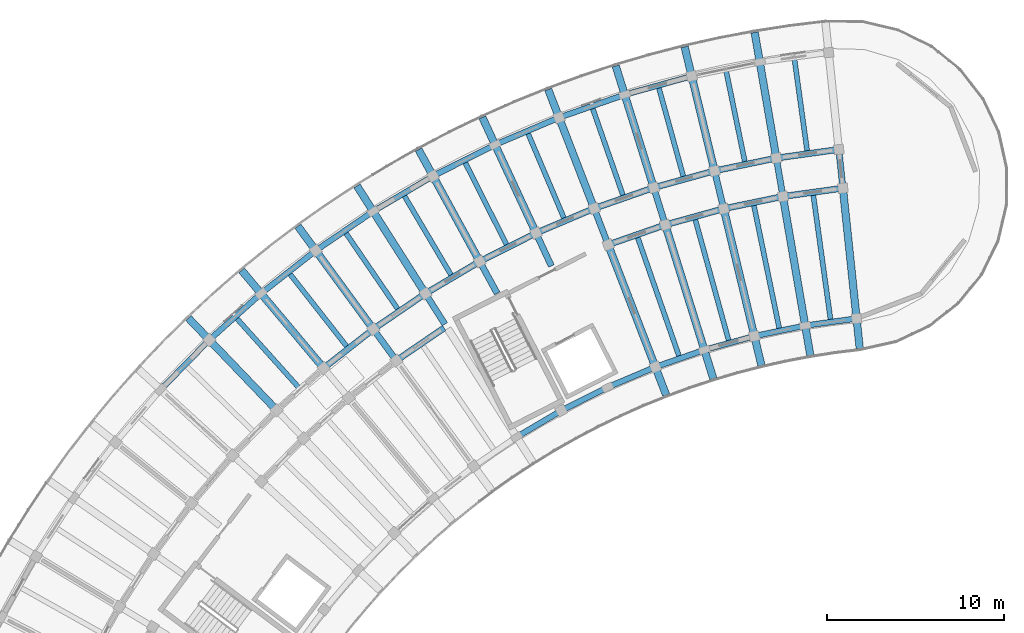
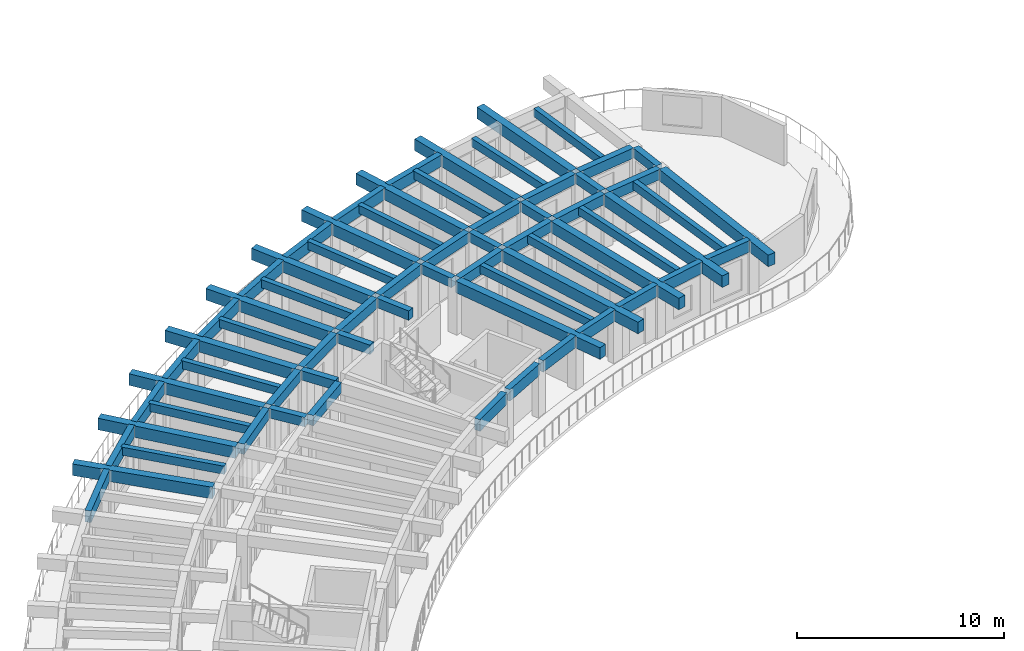
# One storey, part 14 of 81: 68 beams.
"""IFC4 building model written with IfcOpenShell, lengths in metres."""

import ifcopenshell
import ifcopenshell.guid

model = None  # the IFC model being written
_history = None  # IfcOwnerHistory: only IFC2X3 demands one
_inside = {}  # id of a spatial element -> (the spatial element, [elements in it])
_under = {}  # id of a project, library or spatial element -> (it, [spatial elements below it])
_declared = {}  # id of a project -> (the project, [libraries it declares])
_typed = {}  # id of a type object -> (the type object, [elements of that type])
_made_of = {}  # id of a material, layer set ... -> (it, [elements and type objects made of it])


def new_model(schema):
    """Start an empty IFC model of exactly this schema.

    Asked for "IFC4X3", IfcOpenShell would pick the latest addendum, in which some entities
    have other attributes; the version numbers below select the first issue.
    IFC2X3 requires an IfcOwnerHistory on every rooted entity: one is made here for all.
    """
    global model, _history
    if schema == "IFC4X3":
        model = ifcopenshell.file(schema_version=(4, 3, 0, 0))
    else:
        model = ifcopenshell.file(schema=schema)
    _inside.clear()
    _under.clear()
    _declared.clear()
    _typed.clear()
    _made_of.clear()
    _history = None
    if model.schema == "IFC2X3":
        org = make("IfcOrganization", Name="unknown")
        user = make(
            "IfcPersonAndOrganization",
            ThePerson=make("IfcPerson", FamilyName="unknown"),
            TheOrganization=org,
        )
        app = make(
            "IfcApplication",
            ApplicationDeveloper=org,
            Version="unknown",
            ApplicationFullName="unknown",
            ApplicationIdentifier="unknown",
        )
        _history = make(
            "IfcOwnerHistory",
            OwningUser=user,
            OwningApplication=app,
            ChangeAction="ADDED",
            CreationDate=0,
        )
    return model


def make(cls, **values):
    """One entity of the class cls with the attributes given. An attribute that is None is left unset."""
    return model.create_entity(
        cls, **{name: value for name, value in values.items() if value is not None}
    )


def rooted(cls, **values):
    """An entity with a GlobalId (a new one), such as an element, a storey or a relation."""
    return make(cls, GlobalId=ifcopenshell.guid.new(), OwnerHistory=_history, **values)


def si_unit(unit_type, name, prefix=None):
    """IfcSIUnit, for example si_unit("LENGTHUNIT", "METRE", prefix="MILLI")."""
    return make("IfcSIUnit", UnitType=unit_type, Prefix=prefix, Name=name)


def assignment(units):
    """IfcUnitAssignment: the units of a project."""
    return None if units is None else make("IfcUnitAssignment", Units=units)


def point(xyz):
    """IfcCartesianPoint."""
    return None if xyz is None else make("IfcCartesianPoint", Coordinates=xyz)


def direction(xyz):
    """IfcDirection."""
    return None if xyz is None else make("IfcDirection", DirectionRatios=xyz)


def frame(location, z_axis=None, x_axis=None):
    """IfcAxis2Placement3D, a coordinate frame: its origin and axes. An axis left out is left unset."""
    return make(
        "IfcAxis2Placement3D",
        Location=point(location),
        Axis=direction(z_axis),
        RefDirection=direction(x_axis),
    )


def frame_2d(location, x_axis=None):
    """IfcAxis2Placement2D, a coordinate frame in the plane: its origin and x axis."""
    return make(
        "IfcAxis2Placement2D", Location=point(location), RefDirection=direction(x_axis)
    )


def origin():
    """The frame at (0, 0, 0) with its axes left unset."""
    return frame((0.0, 0.0, 0.0))


def origin_2d():
    """The frame at (0, 0) in the plane with its x axis left unset."""
    return frame_2d((0.0, 0.0))


def place(relative_to, where):
    """IfcLocalPlacement: puts the frame where relative to a parent placement (None: the world)."""
    return make(
        "IfcLocalPlacement", PlacementRelTo=relative_to, RelativePlacement=where
    )


def context(
    kind, dimensions, precision=None, world=None, true_north=None, identifier=None
):
    """IfcGeometricRepresentationContext, for example the 3D "Model" context."""
    return make(
        "IfcGeometricRepresentationContext",
        ContextIdentifier=identifier,
        ContextType=kind,
        CoordinateSpaceDimension=dimensions,
        Precision=precision,
        WorldCoordinateSystem=world,
        TrueNorth=true_north,
    )


def subcontext(parent, identifier, kind, view, scale=None):
    """IfcGeometricRepresentationSubContext, for example "Body" below "Model"."""
    return make(
        "IfcGeometricRepresentationSubContext",
        ContextIdentifier=identifier,
        ContextType=kind,
        ParentContext=parent,
        TargetScale=scale,
        TargetView=view,
    )


def project(units=None, contexts=None):
    """IfcProject with its units and contexts."""
    return rooted(
        "IfcProject",
        Name="project",
        RepresentationContexts=contexts,
        UnitsInContext=assignment(units),
    )


def spatial(cls, under=None, at=None, **own):
    """A site, building, storey or space (cls), placed at a placement, below another one or the project."""
    s = rooted(cls, ObjectPlacement=at, **own)
    if under is not None:
        _under.setdefault(under.id(), (under, []))[1].append(s)
    return s


def profile(cls, at=None, kind="AREA", **sizes):
    """A parametric profile (cls). Its sizes go by their IFC names, for example OverallWidth=200.0."""
    return make(cls, ProfileType=kind, Position=at, **sizes)


def rectangle(**sizes):
    """IfcRectangleProfileDef."""
    return profile("IfcRectangleProfileDef", **sizes)


def extrude(swept, where, along, depth):
    """IfcExtrudedAreaSolid: the profile swept, set in the frame where, extruded along a direction by depth."""
    return make(
        "IfcExtrudedAreaSolid",
        SweptArea=swept,
        Position=where,
        ExtrudedDirection=direction(along),
        Depth=depth,
    )


def shape(context_of_items, identifier, shape_type, items):
    """IfcShapeRepresentation: the items that make up one representation, for example the "Body"."""
    return make(
        "IfcShapeRepresentation",
        ContextOfItems=context_of_items,
        RepresentationIdentifier=identifier,
        RepresentationType=shape_type,
        Items=items,
    )


def material(Name=None, Category=None):
    """IfcMaterial."""
    return make("IfcMaterial", Name=Name, Category=Category)


def material_profile(
    of_material, cross_section, Name=None, Category=None, Priority=None
):
    """IfcMaterialProfile: a cross section and its material."""
    return make(
        "IfcMaterialProfile",
        Name=Name,
        Material=of_material,
        Profile=cross_section,
        Priority=Priority,
        Category=Category,
    )


def profile_set(profiles, Name=None, composite=None):
    """IfcMaterialProfileSet."""
    return make(
        "IfcMaterialProfileSet",
        Name=Name,
        MaterialProfiles=profiles,
        CompositeProfile=composite,
    )


def made_of(thing, what):
    """Note that an element or type object is made of a material, layer set ...; save() writes the relation."""
    if what is not None:
        _made_of.setdefault(what.id(), (what, []))[1].append(thing)
    return thing


def type_object(cls, material=None, **own):
    """A type object (cls), such as IfcWallType, which elements share."""
    return made_of(rooted(cls, **own), material)


def element(
    cls,
    number,
    at=None,
    inside=None,
    cuts=None,
    type_object=None,
    material=None,
    context=None,
    identifier="Body",
    shape_type=None,
    held_by="IfcProductDefinitionShape",
    body=None,
    shapes=None,
    **own,
):
    """One element of the class cls, such as IfcWall. Its Tag is "e" and its number.

    at: its placement. inside: the storey or other place that contains it. cuts: it is an
    opening in that element (IfcRelVoidsElement). A single representation is given by context,
    identifier, shape_type and body (its items); several are given by shapes. held_by: the class
    of the entity that holds the representations. save() writes the other relations.
    """
    e = rooted(cls, Tag="e%d" % number, ObjectPlacement=at, **own)
    if body is not None:
        shapes = [shape(context, identifier, shape_type, body)]
    if shapes is not None:
        e.Representation = make(held_by, Representations=shapes)
    if inside is not None:
        _inside.setdefault(inside.id(), (inside, []))[1].append(e)
    if cuts is not None:
        rooted(
            "IfcRelVoidsElement", RelatingBuildingElement=cuts, RelatedOpeningElement=e
        )
    if type_object is not None:
        _typed.setdefault(type_object.id(), (type_object, []))[1].append(e)
    return made_of(e, material)


def aggregate(whole, parts):
    """IfcRelAggregates: a whole, such as a stair, and the parts it consists of."""
    return rooted("IfcRelAggregates", RelatingObject=whole, RelatedObjects=parts)


def save(model, path):
    """Write the relations noted so far, then the file.

    IfcRelAggregates (storeys below a building ...), IfcRelContainedInSpatialStructure (elements
    in a storey), IfcRelDefinesByType, IfcRelAssociatesMaterial and IfcRelDeclares: one each for
    every whole, place, type object, material and project.
    """
    for whole, parts in _under.values():
        aggregate(whole, parts)
    for where, things in _inside.values():
        rooted(
            "IfcRelContainedInSpatialStructure",
            RelatedElements=things,
            RelatingStructure=where,
        )
    for kind, things in _typed.values():
        rooted("IfcRelDefinesByType", RelatedObjects=things, RelatingType=kind)
    for what, things in _made_of.values():
        rooted("IfcRelAssociatesMaterial", RelatedObjects=things, RelatingMaterial=what)
    for by, libraries in _declared.values():
        rooted("IfcRelDeclares", RelatingContext=by, RelatedDefinitions=libraries)
    model.write(path)


model = new_model("IFC4")

# Units and contexts
model_context = context("Model", 3, precision=1e-05, world=origin(), true_north=direction((0.0, 1.0)))
body_context = subcontext(model_context, "Body", "Model", "MODEL_VIEW")
ifc_project = project(units=[si_unit("LENGTHUNIT", "METRE"), si_unit("AREAUNIT", "SQUARE_METRE"), si_unit("VOLUMEUNIT", "CUBIC_METRE"), si_unit("PLANEANGLEUNIT", "RADIAN"), si_unit("MASSUNIT", "GRAM", prefix="KILO")], contexts=[model_context])

# Site, building, storey
site_placement = place(None, origin())
site = spatial("IfcSite", under=ifc_project, at=site_placement, CompositionType="ELEMENT")
building_placement = place(site_placement, origin())
building = spatial("IfcBuilding", under=site, at=building_placement, Name="Tanwirah Colonnade Gardens", CompositionType="ELEMENT")
storey_placement = place(building_placement, frame((0.0, 0.0, 18.919921875)))
storey = spatial("IfcBuildingStorey", under=building, at=storey_placement, Name="L05", CompositionType="ELEMENT", Elevation=18.919921875)

# Beams
ifc_material_1 = material(Name="Precast concrete C40/50", Category="concrete")
ifc_material_profile_1 = material_profile(ifc_material_1, rectangle(XDim=0.35009765625, YDim=0.550048828125, at=origin_2d()), Name="PC-BM 350x550")
ifc_profile_set_1 = profile_set([ifc_material_profile_1], Name="Precast concrete C40/50")
beam_type_1 = type_object("IfcBeamType", Name="BM-PC350A", PredefinedType="BEAM", material=ifc_profile_set_1)
for number, where, z_axis, x_axis, name in (
    (1, (59.564453125, 111.9150390625, 2.8349609375), (-0.104464057197, 0.994528662611, 0.0), (-0.994528662611, -0.104464057197, 0.0), "Block A L05 Corridor Tie Beam 0"),
    (2, (56.1689453125, 111.444580078125, 2.8349609375), (-0.169855285462, 0.985469016256, 0.0), (-0.985469016256, -0.169855285462, 0.0), "Block A L05 Corridor Tie Beam 1"),
    (3, (52.811767578125, 110.75146484375, 2.8349609375), (-0.234364199778, 0.972148868159, 0.0), (-0.972148868159, -0.234364199778, 0.0), "Block A L05 Corridor Tie Beam 2"),
):
    element("IfcBeam", number, at=place(storey_placement, frame(where, z_axis=z_axis, x_axis=x_axis)), inside=storey, type_object=beam_type_1, Name=name, PredefinedType="BEAM", context=body_context, shape_type="SweptSolid", body=[
        extrude(rectangle(XDim=0.35009765625, YDim=0.550048828125, at=origin_2d()), origin(), (0.0, 0.0, 1.0), 1.900146484375),
    ])
for number, where, z_axis, x_axis, name in (
    (4, (49.507568359375, 109.838623046875, 2.8349609375), (-0.297857918398, 0.954610213882, 0.0), (-0.954610213882, -0.297857918398, 0.0), "Block A L05 Corridor Tie Beam 3"),
    (5, (46.270751953125, 108.7099609375, 2.8349609375), (-0.360175656082, 0.932884503444, 0.0), (-0.932884503444, -0.360175656082, 0.0), "Block A L05 Corridor Tie Beam 4"),
    (6, (43.115234375, 107.37060546875, 2.8349609375), (-0.420858322681, 0.90712638162, 0.0), (-0.90712638162, -0.420858322681, 0.0), "Block A L05 Corridor Tie Beam 5"),
    (7, (40.054931640625, 105.826171875, 2.8349609375), (-0.479707235792, 0.877428611301, 0.0), (-0.877428611301, -0.479707235792, 0.0), "Block A L05 Corridor Tie Beam 6"),
    (8, (37.10302734375, 104.08349609375, 2.8349609375), (-0.536509579595, 0.843894229749, 0.0), (-0.843894229749, -0.536509579595, 0.0), "Block A L05 Corridor Tie Beam 7"),
):
    element("IfcBeam", number, at=place(storey_placement, frame(where, z_axis=z_axis, x_axis=x_axis)), inside=storey, type_object=beam_type_1, Name=name, PredefinedType="BEAM", context=body_context, shape_type="SweptSolid", body=[
        extrude(rectangle(XDim=0.35009765625, YDim=0.550048828125, at=origin_2d()), origin(), (0.0, 0.0, 1.0), 1.89990234375),
    ])
beam_1_placement = place(storey_placement, frame((34.272216796875, 102.14990234375, 2.8349609375), z_axis=(-0.590895676149, 0.806747977939, 0.0), x_axis=(-0.806747977939, -0.590895676149, 0.0)))
element("IfcBeam", 9, at=beam_1_placement, inside=storey, type_object=beam_type_1, Name="Block A L05 Corridor Tie Beam 8", PredefinedType="BEAM", context=body_context, shape_type="SweptSolid", body=[
    extrude(rectangle(XDim=0.35009765625, YDim=0.550048828125, at=origin_2d()), origin(), (0.0, 0.0, 1.0), 1.900146484375),
])
ifc_material_profile_2 = material_profile(ifc_material_1, rectangle(XDim=0.35009765625, YDim=0.60009765625, at=origin_2d()), Name="PC-BM 350x600")
ifc_profile_set_2 = profile_set([ifc_material_profile_2], Name="Precast concrete C40/50")
beam_type_2 = type_object("IfcBeamType", Name="BM-PC350B", PredefinedType="BEAM", material=ifc_profile_set_2)
beam_2_placement = place(storey_placement, frame((59.431640625, 111.745361328125, 2.81005859375), z_axis=(-0.990535787723, -0.137254702069, 0.0), x_axis=(0.137254702069, -0.990535787723, 0.0)))
element("IfcBeam", 10, at=beam_2_placement, inside=storey, type_object=beam_type_2, Name="Block A L05 Circumferential Beam 0-R1", PredefinedType="BEAM", context=body_context, shape_type="SweptSolid", body=[
    extrude(rectangle(XDim=0.35009765625, YDim=0.60009765625, at=origin_2d()), origin(), (0.0, 0.0, 1.0), 3.1181640625),
])
beam_3_placement = place(storey_placement, frame((59.20166015625, 113.933349609375, 2.81005859375), z_axis=(-0.990530465749, -0.13729310406, 0.0), x_axis=(0.13729310406, -0.990530465749, 0.0)))
element("IfcBeam", 11, at=beam_3_placement, inside=storey, type_object=beam_type_2, Name="Block A L05 Circumferential Beam 0-R2", PredefinedType="BEAM", context=body_context, shape_type="SweptSolid", body=[
    extrude(rectangle(XDim=0.35009765625, YDim=0.60009765625, at=origin_2d()), origin(), (0.0, 0.0, 1.0), 3.26318359375),
])
beam_4_placement = place(storey_placement, frame((56.047607421875, 111.2666015625, 2.81005859375), z_axis=(-0.979335880607, -0.202240532428, 0.0), x_axis=(0.202240532428, -0.979335880607, 0.0)))
element("IfcBeam", 12, at=beam_4_placement, inside=storey, type_object=beam_type_2, Name="Block A L05 Circumferential Beam 1-R1", PredefinedType="BEAM", context=body_context, shape_type="SweptSolid", body=[
    extrude(rectangle(XDim=0.35009765625, YDim=0.60009765625, at=origin_2d()), origin(), (0.0, 0.0, 1.0), 3.1181640625),
])
beam_5_placement = place(storey_placement, frame((55.673828125, 113.4345703125, 2.81005859375), z_axis=(-0.979335599813, -0.202241892146, 0.0), x_axis=(0.202241892146, -0.979335599813, 0.0)))
element("IfcBeam", 13, at=beam_5_placement, inside=storey, type_object=beam_type_2, Name="Block A L05 Circumferential Beam 1-R2", PredefinedType="BEAM", context=body_context, shape_type="SweptSolid", body=[
    extrude(rectangle(XDim=0.35009765625, YDim=0.60009765625, at=origin_2d()), origin(), (0.0, 0.0, 1.0), 3.262939453125),
])
beam_6_placement = place(storey_placement, frame((52.702392578125, 110.565673828125, 2.81005859375), z_axis=(-0.963894965188, -0.266282737114, 0.0), x_axis=(0.266282737114, -0.963894965188, 0.0)))
element("IfcBeam", 14, at=beam_6_placement, inside=storey, type_object=beam_type_2, Name="Block A L05 Circumferential Beam 2-R1", PredefinedType="BEAM", context=body_context, shape_type="SweptSolid", body=[
    extrude(rectangle(XDim=0.35009765625, YDim=0.60009765625, at=origin_2d()), origin(), (0.0, 0.0, 1.0), 3.1181640625),
])
beam_7_placement = place(storey_placement, frame((52.186767578125, 112.704345703125, 2.81005859375), z_axis=(-0.9638953302, -0.266281415833, 0.0), x_axis=(0.266281415833, -0.9638953302, 0.0)))
element("IfcBeam", 15, at=beam_7_placement, inside=storey, type_object=beam_type_2, Name="Block A L05 Circumferential Beam 2-R2", PredefinedType="BEAM", context=body_context, shape_type="SweptSolid", body=[
    extrude(rectangle(XDim=0.35009765625, YDim=0.60009765625, at=origin_2d()), origin(), (0.0, 0.0, 1.0), 3.26318359375),
])
beam_8_placement = place(storey_placement, frame((49.41064453125, 109.64599609375, 2.81005859375), z_axis=(-0.944248304077, -0.329234172358, 0.0), x_axis=(0.329234172358, -0.944248304077, 0.0)))
element("IfcBeam", 16, at=beam_8_placement, inside=storey, type_object=beam_type_2, Name="Block A L05 Circumferential Beam 3-R1", PredefinedType="BEAM", context=body_context, shape_type="SweptSolid", body=[
    extrude(rectangle(XDim=0.35009765625, YDim=0.60009765625, at=origin_2d()), origin(), (0.0, 0.0, 1.0), 3.1181640625),
])
for number, where, z_axis, x_axis, name in (
    (17, (48.755126953125, 111.74609375, 2.81005859375), (-0.944231021702, -0.329283734272, 0.0), (0.329283734272, -0.944231021702, 0.0), "Block A L05 Circumferential Beam 3-R2"),
    (18, (45.394287109375, 110.563720703125, 2.81005859375), (-0.920513294115, -0.390711242938, 0.0), (0.390711242938, -0.920513294115, 0.0), "Block A L05 Circumferential Beam 4-R2"),
):
    element("IfcBeam", number, at=place(storey_placement, frame(where, z_axis=z_axis, x_axis=x_axis)), inside=storey, type_object=beam_type_2, Name=name, PredefinedType="BEAM", context=body_context, shape_type="SweptSolid", body=[
        extrude(rectangle(XDim=0.35009765625, YDim=0.60009765625, at=origin_2d()), origin(), (0.0, 0.0, 1.0), 3.262939453125),
    ])
for number, where, z_axis, x_axis, name in (
    (19, (42.11865234375, 109.16259765625, 2.81005859375), (-0.89276014323, -0.450532270387, 0.0), (0.450532270387, -0.89276014323, 0.0), "Block A L05 Circumferential Beam 5-R2"),
    (20, (38.9423828125, 107.548583984375, 2.81005859375), (-0.861134978964, -0.508376384193, 0.0), (0.508376384193, -0.861134978964, 0.0), "Block A L05 Circumferential Beam 6-R2"),
):
    element("IfcBeam", number, at=place(storey_placement, frame(where, z_axis=z_axis, x_axis=x_axis)), inside=storey, type_object=beam_type_2, Name=name, PredefinedType="BEAM", context=body_context, shape_type="SweptSolid", body=[
        extrude(rectangle(XDim=0.35009765625, YDim=0.60009765625, at=origin_2d()), origin(), (0.0, 0.0, 1.0), 3.26318359375),
    ])
beam_9_placement = place(storey_placement, frame((37.0595703125, 103.872314453125, 2.81005859375), z_axis=(-0.825758291455, -0.564024152047, 0.0), x_axis=(0.564024152047, -0.825758291455, 0.0)))
element("IfcBeam", 21, at=beam_9_placement, inside=storey, type_object=beam_type_2, Name="Block A L05 Circumferential Beam 7-R1", PredefinedType="BEAM", context=body_context, shape_type="SweptSolid", body=[
    extrude(rectangle(XDim=0.35009765625, YDim=0.60009765625, at=origin_2d()), origin(), (0.0, 0.0, 1.0), 3.118408203125),
])
for number, where, z_axis, x_axis, name in (
    (22, (35.87939453125, 105.728759765625, 2.81005859375), (-0.825782284145, -0.563989024, 0.0), (0.563989024, -0.825782284145, 0.0), "Block A L05 Circumferential Beam 7-R2"),
    (23, (32.94287109375, 103.711181640625, 2.81005859375), (-0.786839882256, -0.617157192044, 0.0), (0.617157192044, -0.786839882256, 0.0), "Block A L05 Circumferential Beam 8-R2"),
):
    element("IfcBeam", number, at=place(storey_placement, frame(where, z_axis=z_axis, x_axis=x_axis)), inside=storey, type_object=beam_type_2, Name=name, PredefinedType="BEAM", context=body_context, shape_type="SweptSolid", body=[
        extrude(rectangle(XDim=0.35009765625, YDim=0.60009765625, at=origin_2d()), origin(), (0.0, 0.0, 1.0), 3.26318359375),
    ])
ifc_material_2 = material(Name="Precast concrete C45/55", Category="concrete")
ifc_material_profile_3 = material_profile(ifc_material_2, rectangle(XDim=0.419921875, YDim=0.679931640625, at=origin_2d()), Name="PC-BM 420x680")
ifc_profile_set_3 = profile_set([ifc_material_profile_3], Name="Precast concrete C45/55")
beam_type_3 = type_object("IfcBeamType", Name="BM-PC420", PredefinedType="BEAM", material=ifc_profile_set_3)
for number, where, z_axis, x_axis, name in (
    (24, (59.595947265625, 111.61669921875, 2.77001953125), (0.104531425475, -0.994521584023, 0.0), (0.994521584023, 0.104531425475, 0.0), "Block A L05 Inner Radial Precast Girder 0"),
    (25, (56.219970703125, 111.14892578125, 2.77001953125), (0.169837490725, -0.985472083189, 0.0), (0.985472083189, 0.169837490725, 0.0), "Block A L05 Inner Radial Precast Girder 1"),
):
    element("IfcBeam", number, at=place(storey_placement, frame(where, z_axis=z_axis, x_axis=x_axis)), inside=storey, type_object=beam_type_3, Name=name, PredefinedType="BEAM", context=body_context, shape_type="SweptSolid", body=[
        extrude(rectangle(XDim=0.419921875, YDim=0.679931640625, at=origin_2d()), origin(), (0.0, 0.0, 1.0), 8.949951171875),
    ])
beam_10_placement = place(storey_placement, frame((55.79541015625, 113.61279296875, 2.77001953125), z_axis=(-0.169826898404, 0.985473908624, 0.0), x_axis=(-0.985473908624, -0.169826898404, 0.0)))
element("IfcBeam", 26, at=beam_10_placement, inside=storey, type_object=beam_type_3, Name="Block A L05 Outer Radial Precast Girder 1", PredefinedType="BEAM", context=body_context, shape_type="SweptSolid", body=[
    extrude(rectangle(XDim=0.419921875, YDim=0.679931640625, at=origin_2d()), origin(), (0.0, 0.0, 1.0), 7.0498046875),
])
beam_11_placement = place(storey_placement, frame((52.882080078125, 110.459716796875, 2.77001953125), z_axis=(0.234401428133, -0.972139892448, 0.0), x_axis=(0.972139892448, 0.234401428133, 0.0)))
element("IfcBeam", 27, at=beam_11_placement, inside=storey, type_object=beam_type_3, Name="Block A L05 Inner Radial Precast Girder 2", PredefinedType="BEAM", context=body_context, shape_type="SweptSolid", body=[
    extrude(rectangle(XDim=0.419921875, YDim=0.679931640625, at=origin_2d()), origin(), (0.0, 0.0, 1.0), 8.949951171875),
])
beam_12_placement = place(storey_placement, frame((52.296142578125, 112.89013671875, 2.77001953125), z_axis=(-0.234378734126, 0.972145364125, 0.0), x_axis=(-0.972145364125, -0.234378734126, 0.0)))
element("IfcBeam", 28, at=beam_12_placement, inside=storey, type_object=beam_type_3, Name="Block A L05 Outer Radial Precast Girder 2", PredefinedType="BEAM", context=body_context, shape_type="SweptSolid", body=[
    extrude(rectangle(XDim=0.419921875, YDim=0.679931640625, at=origin_2d()), origin(), (0.0, 0.0, 1.0), 7.0498046875),
])
beam_13_placement = place(storey_placement, frame((49.596923828125, 109.55224609375, 2.77001953125), z_axis=(0.29792861283, -0.9545881529, 0.0), x_axis=(0.9545881529, 0.29792861283, 0.0)))
element("IfcBeam", 29, at=beam_13_placement, inside=storey, type_object=beam_type_3, Name="Block A L05 Inner Radial Precast Girder 3", PredefinedType="BEAM", context=body_context, shape_type="SweptSolid", body=[
    extrude(rectangle(XDim=0.419921875, YDim=0.679931640625, at=origin_2d()), origin(), (0.0, 0.0, 1.0), 8.9501953125),
])
beam_14_placement = place(storey_placement, frame((48.852294921875, 111.938720703125, 2.77001953125), z_axis=(-0.297957513373, 0.954579132511, 0.0), x_axis=(-0.954579132511, -0.297957513373, 0.0)))
element("IfcBeam", 30, at=beam_14_placement, inside=storey, type_object=beam_type_3, Name="Block A L05 Outer Radial Precast Girder 3", PredefinedType="BEAM", context=body_context, shape_type="SweptSolid", body=[
    extrude(rectangle(XDim=0.419921875, YDim=0.679931640625, at=origin_2d()), origin(), (0.0, 0.0, 1.0), 7.050048828125),
])
beam_15_placement = place(storey_placement, frame((46.37890625, 108.43017578125, 2.77001953125), z_axis=(0.360155980892, -0.932892099563, 0.0), x_axis=(0.932892099563, 0.360155980892, 0.0)))
element("IfcBeam", 31, at=beam_15_placement, inside=storey, type_object=beam_type_3, Name="Block A L05 Inner Radial Precast Girder 4", PredefinedType="BEAM", context=body_context, shape_type="SweptSolid", body=[
    extrude(rectangle(XDim=0.419921875, YDim=0.679931640625, at=origin_2d()), origin(), (0.0, 0.0, 1.0), 8.949951171875),
])
for number, where, z_axis, x_axis, name in (
    (32, (45.478271484375, 110.76220703125, 2.77001953125), (-0.360150678391, 0.932894146651, 0.0), (-0.932894146651, -0.360150678391, 0.0), "Block A L05 Outer Radial Precast Girder 4"),
    (33, (42.189453125, 109.3662109375, 2.77001953125), (-0.420855908645, 0.9071275016, 0.0), (-0.9071275016, -0.420855908645, 0.0), "Block A L05 Outer Radial Precast Girder 5"),
    (34, (38.99951171875, 107.75634765625, 2.77001953125), (-0.479686549155, 0.877439920769, 0.0), (-0.877439920769, -0.479686549155, 0.0), "Block A L05 Outer Radial Precast Girder 6"),
    (35, (35.922607421875, 105.93994140625, 2.77001953125), (-0.536476584537, 0.8439152056, 0.0), (-0.8439152056, -0.536476584537, 0.0), "Block A L05 Outer Radial Precast Girder 7"),
    (36, (32.97216796875, 103.9248046875, 2.77001953125), (-0.590919194225, 0.806730751798, 0.0), (-0.806730751798, -0.590919194225, 0.0), "Block A L05 Outer Radial Precast Girder 8"),
):
    element("IfcBeam", number, at=place(storey_placement, frame(where, z_axis=z_axis, x_axis=x_axis)), inside=storey, type_object=beam_type_3, Name=name, PredefinedType="BEAM", context=body_context, shape_type="SweptSolid", body=[
        extrude(rectangle(XDim=0.419921875, YDim=0.679931640625, at=origin_2d()), origin(), (0.0, 0.0, 1.0), 7.050048828125),
    ])
beam_16_placement = place(storey_placement, frame((30.160888671875, 101.7197265625, 2.77001953125), z_axis=(-0.642810291951, 0.766025409867, 0.0), x_axis=(-0.766025409867, -0.642810291951, 0.0)))
element("IfcBeam", 37, at=beam_16_placement, inside=storey, type_object=beam_type_3, Name="Block A L05 Outer Radial Precast Girder 9", PredefinedType="BEAM", context=body_context, shape_type="SweptSolid", body=[
    extrude(rectangle(XDim=0.419921875, YDim=0.679931640625, at=origin_2d()), origin(), (0.0, 0.0, 1.0), 7.0498046875),
])
beam_17_placement = place(storey_placement, frame((27.5009765625, 99.333984375, 2.77001953125), z_axis=(-0.691864746793, 0.722027127015, 0.0), x_axis=(-0.722027127015, -0.691864746793, 0.0)))
element("IfcBeam", 38, at=beam_17_placement, inside=storey, type_object=beam_type_3, Name="Block A L05 Outer Radial Precast Girder 10", PredefinedType="BEAM", context=body_context, shape_type="SweptSolid", body=[
    extrude(rectangle(XDim=0.419921875, YDim=0.679931640625, at=origin_2d()), origin(), (0.0, 0.0, 1.0), 7.050048828125),
])
ifc_material_profile_4 = material_profile(ifc_material_1, rectangle(XDim=0.280029296875, YDim=0.47998046875, at=origin_2d()), Name="PC-JST 280x480")
ifc_profile_set_4 = profile_set([ifc_material_profile_4], Name="Precast concrete C40/50")
beam_type_4 = type_object("IfcBeamType", Name="JST-PC280", PredefinedType="JOIST", material=ifc_profile_set_4)
beam_18_placement = place(storey_placement, frame((57.56494140625, 113.857421875, 2.8701171875), z_axis=(-0.137248344923, 0.990536668587, 0.0), x_axis=(-0.990536668587, -0.137248344923, 0.0)))
element("IfcBeam", 39, at=beam_18_placement, inside=storey, type_object=beam_type_4, Name="Block A L05 Precast Floor Joist 0", PredefinedType="JOIST", context=body_context, shape_type="SweptSolid", body=[
    extrude(rectangle(XDim=0.280029296875, YDim=0.47998046875, at=origin_2d()), origin(), (0.0, 0.0, 1.0), 5.260009765625),
])
beam_19_placement = place(storey_placement, frame((58.882568359375, 104.34814453125, 2.8701171875), z_axis=(-0.137243132462, 0.99053739081, 0.0), x_axis=(-0.99053739081, -0.137243132462, 0.0)))
element("IfcBeam", 40, at=beam_19_placement, inside=storey, type_object=beam_type_4, Name="Block A L05 Inner Precast Floor Joist 0", PredefinedType="JOIST", context=body_context, shape_type="SweptSolid", body=[
    extrude(rectangle(XDim=0.280029296875, YDim=0.47998046875, at=origin_2d()), origin(), (0.0, 0.0, 1.0), 7.16015625),
])
beam_20_placement = place(storey_placement, frame((54.0458984375, 113.2509765625, 2.8701171875), z_axis=(-0.202235688429, 0.979336880918, 0.0), x_axis=(-0.979336880918, -0.202235688429, 0.0)))
element("IfcBeam", 41, at=beam_20_placement, inside=storey, type_object=beam_type_4, Name="Block A L05 Precast Floor Joist 1", PredefinedType="JOIST", context=body_context, shape_type="SweptSolid", body=[
    extrude(rectangle(XDim=0.280029296875, YDim=0.47998046875, at=origin_2d()), origin(), (0.0, 0.0, 1.0), 5.259765625),
])
beam_21_placement = place(storey_placement, frame((55.987060546875, 103.84912109375, 2.8701171875), z_axis=(-0.202197428816, 0.979344780851, 0.0), x_axis=(-0.979344780851, -0.202197428816, 0.0)))
element("IfcBeam", 42, at=beam_21_placement, inside=storey, type_object=beam_type_4, Name="Block A L05 Inner Precast Floor Joist 1", PredefinedType="JOIST", context=body_context, shape_type="SweptSolid", body=[
    extrude(rectangle(XDim=0.280029296875, YDim=0.47998046875, at=origin_2d()), origin(), (0.0, 0.0, 1.0), 7.16015625),
])
beam_22_placement = place(storey_placement, frame((50.57421875, 112.413818359375, 2.8701171875), z_axis=(-0.266281476085, 0.963895313555, 0.0), x_axis=(-0.963895313555, -0.266281476085, 0.0)))
element("IfcBeam", 43, at=beam_22_placement, inside=storey, type_object=beam_type_4, Name="Block A L05 Precast Floor Joist 2", PredefinedType="JOIST", context=body_context, shape_type="SweptSolid", body=[
    extrude(rectangle(XDim=0.280029296875, YDim=0.47998046875, at=origin_2d()), origin(), (0.0, 0.0, 1.0), 5.260009765625),
])
beam_23_placement = place(storey_placement, frame((53.130859375, 103.16064453125, 2.8701171875), z_axis=(-0.266307034535, 0.963888252526, 0.0), x_axis=(-0.963888252526, -0.266307034535, 0.0)))
element("IfcBeam", 44, at=beam_23_placement, inside=storey, type_object=beam_type_4, Name="Block A L05 Inner Precast Floor Joist 2", PredefinedType="JOIST", context=body_context, shape_type="SweptSolid", body=[
    extrude(rectangle(XDim=0.280029296875, YDim=0.47998046875, at=origin_2d()), origin(), (0.0, 0.0, 1.0), 7.159912109375),
])
beam_24_placement = place(storey_placement, frame((47.16552734375, 111.349853515625, 2.8701171875), z_axis=(-0.3292586038, 0.944239785131, 0.0), x_axis=(-0.944239785131, -0.3292586038, 0.0)))
element("IfcBeam", 45, at=beam_24_placement, inside=storey, type_object=beam_type_4, Name="Block A L05 Precast Floor Joist 3", PredefinedType="JOIST", context=body_context, shape_type="SweptSolid", body=[
    extrude(rectangle(XDim=0.280029296875, YDim=0.47998046875, at=origin_2d()), origin(), (0.0, 0.0, 1.0), 5.260009765625),
])
beam_25_placement = place(storey_placement, frame((50.326171875, 102.28515625, 2.8701171875), z_axis=(-0.329250558112, 0.944242590642, 0.0), x_axis=(-0.944242590642, -0.329250558112, 0.0)))
element("IfcBeam", 46, at=beam_25_placement, inside=storey, type_object=beam_type_4, Name="Block A L05 Inner Precast Floor Joist 3", PredefinedType="JOIST", context=body_context, shape_type="SweptSolid", body=[
    extrude(rectangle(XDim=0.280029296875, YDim=0.47998046875, at=origin_2d()), origin(), (0.0, 0.0, 1.0), 7.159912109375),
])
beam_26_placement = place(storey_placement, frame((43.833984375, 110.063720703125, 2.8701171875), z_axis=(-0.390723870106, 0.92050793442, 0.0), x_axis=(-0.92050793442, -0.390723870106, 0.0)))
element("IfcBeam", 47, at=beam_26_placement, inside=storey, type_object=beam_type_4, Name="Block A L05 Precast Floor Joist 4", PredefinedType="JOIST", context=body_context, shape_type="SweptSolid", body=[
    extrude(rectangle(XDim=0.280029296875, YDim=0.47998046875, at=origin_2d()), origin(), (0.0, 0.0, 1.0), 5.260009765625),
])
for number, where, z_axis, x_axis, name in (
    (48, (40.5947265625, 108.560791015625, 2.8701171875), (-0.450533699488, 0.892759422031, 0.0), (-0.892759422031, -0.450533699488, 0.0), "Block A L05 Precast Floor Joist 5"),
    (49, (37.46142578125, 106.84765625, 2.8701171875), (-0.508360236823, 0.86114451146, 0.0), (-0.86114451146, -0.508360236823, 0.0), "Block A L05 Precast Floor Joist 6"),
):
    element("IfcBeam", number, at=place(storey_placement, frame(where, z_axis=z_axis, x_axis=x_axis)), inside=storey, type_object=beam_type_4, Name=name, PredefinedType="JOIST", context=body_context, shape_type="SweptSolid", body=[
        extrude(rectangle(XDim=0.280029296875, YDim=0.47998046875, at=origin_2d()), origin(), (0.0, 0.0, 1.0), 5.26025390625),
    ])
for number, where, z_axis, x_axis, name in (
    (50, (34.44775390625, 104.931884765625, 2.8701171875), (-0.563973225998, 0.825793073571, 0.0), (-0.825793073571, -0.563973225998, 0.0), "Block A L05 Precast Floor Joist 7"),
    (51, (31.56689453125, 102.82177734375, 2.8701171875), (-0.617177687243, 0.786823806433, 0.0), (-0.786823806433, -0.617177687243, 0.0), "Block A L05 Precast Floor Joist 8"),
    (52, (28.831298828125, 100.5263671875, 2.8701171875), (-0.667678987176, 0.744449306591, 0.0), (-0.744449306591, -0.667678987176, 0.0), "Block A L05 Precast Floor Joist 9"),
):
    element("IfcBeam", number, at=place(storey_placement, frame(where, z_axis=z_axis, x_axis=x_axis)), inside=storey, type_object=beam_type_4, Name=name, PredefinedType="JOIST", context=body_context, shape_type="SweptSolid", body=[
        extrude(rectangle(XDim=0.280029296875, YDim=0.47998046875, at=origin_2d()), origin(), (0.0, 0.0, 1.0), 5.260009765625),
    ])
ifc_material_profile_5 = material_profile(ifc_material_2, rectangle(XDim=0.320068359375, YDim=0.679931640625, at=origin_2d()), Name="PC-SP 320x680")
ifc_profile_set_5 = profile_set([ifc_material_profile_5], Name="Precast concrete C45/55")
beam_type_5 = type_object("IfcBeamType", Name="SP-PC320", PredefinedType="SPANDREL", material=ifc_profile_set_5)
for number, where, z_axis, x_axis, name in (
    (53, (60.205078125, 104.385986328125, 2.77001953125), (-0.990531232354, -0.13728757311, 0.0), (0.13728757311, -0.990531232354, 0.0), "Block A L05 Circumferential Beam 0-R0"),
    (54, (57.30419921875, 103.973876953125, 2.77001953125), (-0.979351764611, -0.202163599974, 0.0), (0.202163599974, -0.979351764611, 0.0), "Block A L05 Circumferential Beam 1-R0"),
    (55, (54.436767578125, 103.371826171875, 2.77001953125), (-0.96388669146, -0.266312684688, 0.0), (0.266312684688, -0.96388669146, 0.0), "Block A L05 Circumferential Beam 2-R0"),
):
    element("IfcBeam", number, at=place(storey_placement, frame(where, z_axis=z_axis, x_axis=x_axis)), inside=storey, type_object=beam_type_5, Name=name, PredefinedType="SPANDREL", context=body_context, shape_type="SweptSolid", body=[
        extrude(rectangle(XDim=0.320068359375, YDim=0.679931640625, at=origin_2d()), origin(), (0.0, 0.0, 1.0), 2.630126953125),
    ])
beam_27_placement = place(storey_placement, frame((50.897705078125, 118.05126953125, 2.77001953125), z_axis=(-0.963888380927, -0.266306569792, 0.0), x_axis=(0.266306569792, -0.963888380927, 0.0)))
element("IfcBeam", 56, at=beam_27_placement, inside=storey, type_object=beam_type_5, Name="Block A L05 Circumferential Beam 2-R3", PredefinedType="SPANDREL", context=body_context, shape_type="SweptSolid", body=[
    extrude(rectangle(XDim=0.320068359375, YDim=0.679931640625, at=origin_2d()), origin(), (0.0, 0.0, 1.0), 3.625732421875),
])
beam_28_placement = place(storey_placement, frame((51.615478515625, 102.58203125, 2.77001953125), z_axis=(-0.944249847334, -0.32922974624, 0.0), x_axis=(0.32922974624, -0.944249847334, 0.0)))
element("IfcBeam", 57, at=beam_28_placement, inside=storey, type_object=beam_type_5, Name="Block A L05 Circumferential Beam 3-R0", PredefinedType="SPANDREL", context=body_context, shape_type="SweptSolid", body=[
    extrude(rectangle(XDim=0.320068359375, YDim=0.679931640625, at=origin_2d()), origin(), (0.0, 0.0, 1.0), 2.63037109375),
])
beam_29_placement = place(storey_placement, frame((47.11669921875, 116.996337890625, 2.77001953125), z_axis=(-0.944236700093, -0.329267450863, 0.0), x_axis=(0.329267450863, -0.944236700093, 0.0)))
element("IfcBeam", 58, at=beam_29_placement, inside=storey, type_object=beam_type_5, Name="Block A L05 Circumferential Beam 3-R3", PredefinedType="SPANDREL", context=body_context, shape_type="SweptSolid", body=[
    extrude(rectangle(XDim=0.320068359375, YDim=0.679931640625, at=origin_2d()), origin(), (0.0, 0.0, 1.0), 3.625732421875),
])
beam_30_placement = place(storey_placement, frame((48.85205078125, 101.608154296875, 2.77001953125), z_axis=(-0.920488719784, -0.390769134848, 0.0), x_axis=(0.390769134848, -0.920488719784, 0.0)))
element("IfcBeam", 59, at=beam_30_placement, inside=storey, type_object=beam_type_5, Name="Block A L05 Circumferential Beam 4-R0", PredefinedType="SPANDREL", context=body_context, shape_type="SweptSolid", body=[
    extrude(rectangle(XDim=0.320068359375, YDim=0.679931640625, at=origin_2d()), origin(), (0.0, 0.0, 1.0), 2.63037109375),
])
beam_31_placement = place(storey_placement, frame((43.413330078125, 115.694580078125, 2.77001953125), z_axis=(-0.920494456807, -0.390755620545, 0.0), x_axis=(0.390755620545, -0.920494456807, 0.0)))
element("IfcBeam", 60, at=beam_31_placement, inside=storey, type_object=beam_type_5, Name="Block A L05 Circumferential Beam 4-R3", PredefinedType="SPANDREL", context=body_context, shape_type="SweptSolid", body=[
    extrude(rectangle(XDim=0.320068359375, YDim=0.679931640625, at=origin_2d()), origin(), (0.0, 0.0, 1.0), 3.625732421875),
])
beam_32_placement = place(storey_placement, frame((46.158935546875, 100.4541015625, 2.77001953125), z_axis=(-0.892769015158, -0.450514689632, 0.0), x_axis=(0.450514689632, -0.892769015158, 0.0)))
element("IfcBeam", 61, at=beam_32_placement, inside=storey, type_object=beam_type_5, Name="Block A L05 Circumferential Beam 5-R0", PredefinedType="SPANDREL", context=body_context, shape_type="SweptSolid", body=[
    extrude(rectangle(XDim=0.320068359375, YDim=0.679931640625, at=origin_2d()), origin(), (0.0, 0.0, 1.0), 2.63037109375),
])
beam_33_placement = place(storey_placement, frame((39.803955078125, 114.15185546875, 2.77001953125), z_axis=(-0.892764670911, -0.450523298368, 0.0), x_axis=(0.450523298368, -0.892764670911, 0.0)))
element("IfcBeam", 62, at=beam_33_placement, inside=storey, type_object=beam_type_5, Name="Block A L05 Circumferential Beam 5-R3", PredefinedType="SPANDREL", context=body_context, shape_type="SweptSolid", body=[
    extrude(rectangle(XDim=0.320068359375, YDim=0.679931640625, at=origin_2d()), origin(), (0.0, 0.0, 1.0), 3.6259765625),
])
beam_34_placement = place(storey_placement, frame((43.547607421875, 99.125244140625, 2.77001953125), z_axis=(-0.861148181788, -0.508354019363, 0.0), x_axis=(0.508354019363, -0.861148181788, 0.0)))
element("IfcBeam", 63, at=beam_34_placement, inside=storey, type_object=beam_type_5, Name="Block A L05 Circumferential Beam 6-R0", PredefinedType="SPANDREL", context=body_context, shape_type="SweptSolid", body=[
    extrude(rectangle(XDim=0.320068359375, YDim=0.679931640625, at=origin_2d()), origin(), (0.0, 0.0, 1.0), 2.63037109375),
])
for number, where, z_axis, x_axis, name in (
    (64, (36.303955078125, 112.37451171875, 2.77001953125), (-0.861136912545, -0.5083731089, 0.0), (0.5083731089, -0.861136912545, 0.0), "Block A L05 Circumferential Beam 6-R3"),
    (65, (32.9287109375, 110.370361328125, 2.77001953125), (-0.825782625102, -0.563988524776, 0.0), (0.563988524776, -0.825782625102, 0.0), "Block A L05 Circumferential Beam 7-R3"),
):
    element("IfcBeam", number, at=place(storey_placement, frame(where, z_axis=z_axis, x_axis=x_axis)), inside=storey, type_object=beam_type_5, Name=name, PredefinedType="SPANDREL", context=body_context, shape_type="SweptSolid", body=[
        extrude(rectangle(XDim=0.320068359375, YDim=0.679931640625, at=origin_2d()), origin(), (0.0, 0.0, 1.0), 3.625732421875),
    ])
beam_35_placement = place(storey_placement, frame((29.69287109375, 108.148193359375, 2.77001953125), z_axis=(-0.786843799845, -0.617152197311, 0.0), x_axis=(0.617152197311, -0.786843799845, 0.0)))
element("IfcBeam", 66, at=beam_35_placement, inside=storey, type_object=beam_type_5, Name="Block A L05 Circumferential Beam 8-R3", PredefinedType="SPANDREL", context=body_context, shape_type="SweptSolid", body=[
    extrude(rectangle(XDim=0.320068359375, YDim=0.679931640625, at=origin_2d()), origin(), (0.0, 0.0, 1.0), 3.62548828125),
])
beam_36_placement = place(storey_placement, frame((26.6103515625, 105.7177734375, 2.77001953125), z_axis=(-0.744444790955, -0.667684021989, 0.0), x_axis=(0.667684021989, -0.744444790955, 0.0)))
element("IfcBeam", 67, at=beam_36_placement, inside=storey, type_object=beam_type_5, Name="Block A L05 Circumferential Beam 9-R3", PredefinedType="SPANDREL", context=body_context, shape_type="SweptSolid", body=[
    extrude(rectangle(XDim=0.320068359375, YDim=0.679931640625, at=origin_2d()), origin(), (0.0, 0.0, 1.0), 3.625732421875),
])
beam_37_placement = place(storey_placement, frame((23.69482421875, 103.089599609375, 2.77001953125), z_axis=(-0.698844493997, -0.715273635199, 0.0), x_axis=(0.715273635199, -0.698844493997, 0.0)))
element("IfcBeam", 68, at=beam_37_placement, inside=storey, type_object=beam_type_5, Name="Block A L05 Circumferential Beam 10-R3", PredefinedType="SPANDREL", context=body_context, shape_type="SweptSolid", body=[
    extrude(rectangle(XDim=0.320068359375, YDim=0.679931640625, at=origin_2d()), origin(), (0.0, 0.0, 1.0), 3.6259765625),
])

save(model, "model.ifc")
